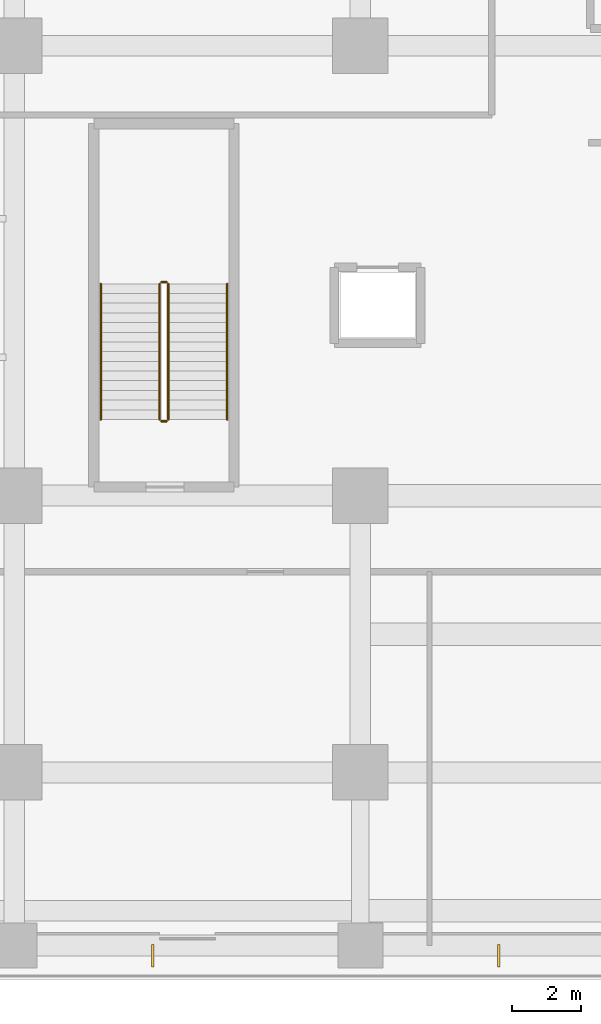
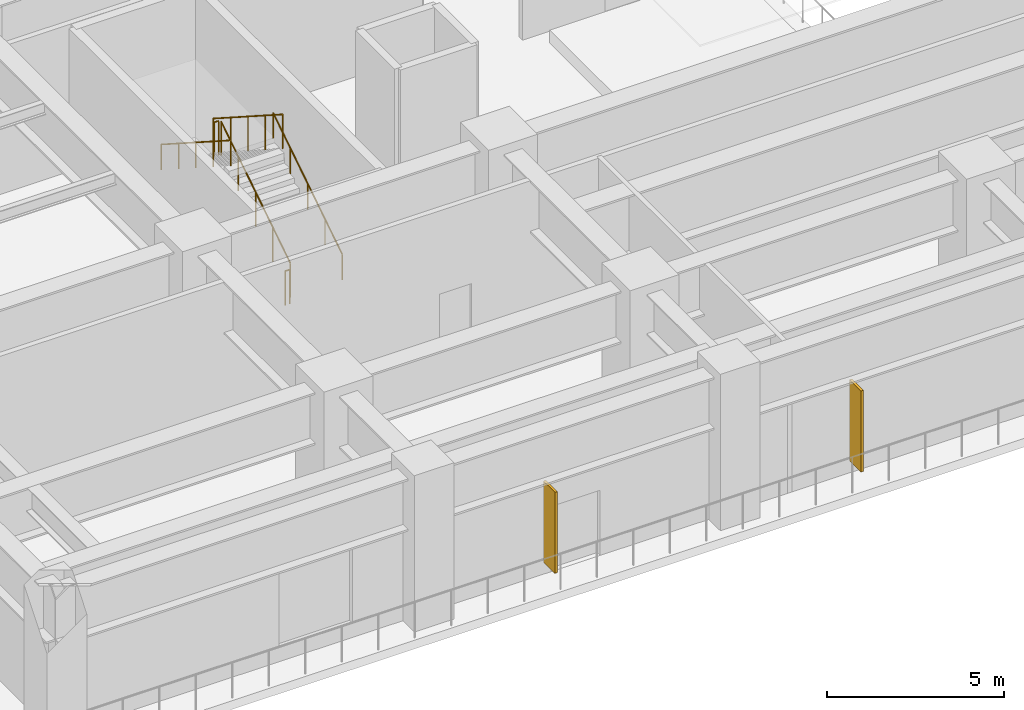
# One storey, part 22 of 28: 6 railings, 2 shading devices.
"""IFC4 building model written with IfcOpenShell, lengths in metres."""

from ifc_helpers import new_model, si_unit, direction, frame, origin, origin_2d, place, context, subcontext, project, spatial, rectangle, circle, extrude, source, transform, mapped, material, layer, layer_set, type_object, element, save


model = new_model("IFC4")

# Units and contexts
model_context = context("Model", 3, precision=1e-05, world=origin(), true_north=direction((0.0, 1.0)))
body_context = subcontext(model_context, "Body", "Model", "MODEL_VIEW")
ifc_project = project(units=[si_unit("LENGTHUNIT", "METRE"), si_unit("AREAUNIT", "SQUARE_METRE"), si_unit("VOLUMEUNIT", "CUBIC_METRE"), si_unit("PLANEANGLEUNIT", "RADIAN"), si_unit("MASSUNIT", "GRAM", prefix="KILO")], contexts=[model_context])

# Site, building, storey
site_placement = place(None, origin())
site = spatial("IfcSite", under=ifc_project, at=site_placement, CompositionType="ELEMENT")
building_placement = place(site_placement, origin())
building = spatial("IfcBuilding", under=site, at=building_placement, Name="Khorayat Bourse Tower", CompositionType="ELEMENT")
storey_placement = place(building_placement, frame((0.0, 0.0, 6.60009765625)))
storey = spatial("IfcBuildingStorey", under=building, at=storey_placement, Name="L01", CompositionType="ELEMENT", Elevation=6.60009765625)

# Shading devices
ifc_material_1 = material(Name="Anodised champagne aluminium", Category="aluminium")
ifc_layer = layer(ifc_material_1, 0.080078125)
ifc_layer_set = layer_set([ifc_layer], Name="Anodised champagne aluminium")
shading_device_type = type_object("IfcShadingDeviceType", Name="SHD-MASHRABIYA-FIN", PredefinedType="USERDEFINED", material=ifc_layer_set)
shared_shape_1 = source(origin(), body_context, "Body", "SweptSolid", [
    extrude(rectangle(XDim=0.080078125, YDim=0.64990234375, at=origin_2d()), origin(), (0.0, 0.0, 1.0), 2.800048828125),
])
for number, where, z_axis, x_axis, name in (
    (1, (-28.0, -37.300048828125, 0.39990234375), (0.0, 0.0, 1.0), (1.0, 0.0, 0.0), "L01 Mashrabiya Vertical Shading Fin 1"),
    (2, (-18.0, -37.300048828125, 0.39990234375), (0.0, 0.0, 1.0), (1.0, 0.0, 0.0), "L01 Mashrabiya Vertical Shading Fin 2"),
):
    element("IfcShadingDevice", number, at=place(storey_placement, frame(where, z_axis=z_axis, x_axis=x_axis)), inside=storey, type_object=shading_device_type, Name=name, ObjectType="FIN", PredefinedType="USERDEFINED", context=body_context, shape_type="MappedRepresentation", body=[
        mapped(shared_shape_1, transform((0.0, 0.0, 0.0), scale=1.0)),
    ])

# Railings
ifc_material_2 = material(Name="Powder-coated steel balustrade", Category="steel")
railing_type_1 = type_object("IfcRailingType", Name="RLG-GUARD-1200", PredefinedType="GUARDRAIL", material=ifc_material_2)
shared_shape_2 = source(origin(), body_context, "Body", "SweptSolid", [
    extrude(circle(Radius=0.02392578125, at=origin_2d()), frame((0.0, 0.0, 1.17578125), z_axis=(-1.0, 0.0, 0.0), x_axis=(0.0, -1.0, 0.0)), (0.0, 0.0, 1.0), 0.14990234375),
    extrude(circle(Radius=0.02099609375, at=origin_2d()), origin(), (0.0, 0.0, 1.0), 1.15185546875),
    extrude(circle(Radius=0.02099609375, at=origin_2d()), frame((-0.14990234375, 0.0, 0.0)), (0.0, 0.0, 1.0), 1.15185546875),
])
for number, where, name in (
    (3, (-27.60009765625, -17.830078125, 2.699951171875), "L01 ST-P1 stair guard 2"),
    (4, (-27.60009765625, -21.85009765625, 0.0), "L01 ST-P1 stair guard 4"),
):
    element("IfcRailing", number, at=place(storey_placement, frame(where)), inside=storey, type_object=railing_type_1, Name=name, PredefinedType="GUARDRAIL", context=body_context, shape_type="MappedRepresentation", body=[
        mapped(shared_shape_2, transform((0.0, 0.0, 0.0), scale=1.0)),
    ])
shared_shape_3 = source(origin(), body_context, "Body", "SweptSolid", [
    extrude(circle(Radius=0.02392578125, at=origin_2d()), frame((0.0, 0.0, 1.17578125), z_axis=(0.0, 0.841186985886, 0.540744352514), x_axis=(-1.0, 0.0, 0.0)), (0.0, 0.0, 1.0), 4.660400390625),
    extrude(circle(Radius=0.02099609375, at=origin_2d()), origin(), (0.0, 0.0, 1.0), 1.15185546875),
    extrude(circle(Radius=0.02099609375, at=origin_2d()), frame((0.0, 0.97998046875, 0.6298828125)), (0.0, 0.0, 1.0), 1.15185546875),
    extrude(circle(Radius=0.02099609375, at=origin_2d()), frame((0.0, 1.9599609375, 1.260009765625)), (0.0, 0.0, 1.0), 1.15185546875),
    extrude(circle(Radius=0.02099609375, at=origin_2d()), frame((0.0, 2.940185546875, 1.89013671875)), (0.0, 0.0, 1.0), 1.15185546875),
    extrude(circle(Radius=0.02099609375, at=origin_2d()), frame((0.0, 3.920166015625, 2.52001953125)), (0.0, 0.0, 1.0), 1.15185546875),
])
railing_1_placement = place(storey_placement, frame((-27.550048828125, -21.800048828125, 0.179931640625)))
element("IfcRailing", 5, at=railing_1_placement, inside=storey, type_object=railing_type_1, Name="L01 ST-P1 stair guard 1", PredefinedType="GUARDRAIL", context=body_context, shape_type="MappedRepresentation", body=[
    mapped(shared_shape_3, transform((0.0, 0.0, 0.0), scale=1.0)),
])
shared_shape_4 = source(origin(), body_context, "Body", "SweptSolid", [
    extrude(circle(Radius=0.02392578125, at=origin_2d()), frame((0.0, 0.0, 1.17578125), z_axis=(0.0, -0.841186985886, 0.540744352514), x_axis=(1.0, 0.0, 0.0)), (0.0, 0.0, 1.0), 4.660400390625),
    extrude(circle(Radius=0.02099609375, at=origin_2d()), origin(), (0.0, 0.0, 1.0), 1.15185546875),
    extrude(circle(Radius=0.02099609375, at=origin_2d()), frame((0.0, -0.97998046875, 0.6298828125)), (0.0, 0.0, 1.0), 1.15185546875),
    extrude(circle(Radius=0.02099609375, at=origin_2d()), frame((0.0, -1.9599609375, 1.260009765625)), (0.0, 0.0, 1.0), 1.15185546875),
    extrude(circle(Radius=0.02099609375, at=origin_2d()), frame((0.0, -2.940185546875, 1.89013671875)), (0.0, 0.0, 1.0), 1.15185546875),
    extrude(circle(Radius=0.02099609375, at=origin_2d()), frame((0.0, -3.920166015625, 2.52001953125)), (0.0, 0.0, 1.0), 1.15185546875),
])
railing_2_placement = place(storey_placement, frame((-27.800048828125, -17.8798828125, 2.8798828125)))
element("IfcRailing", 6, at=railing_2_placement, inside=storey, type_object=railing_type_1, Name="L01 ST-P1 stair guard 3", PredefinedType="GUARDRAIL", context=body_context, shape_type="MappedRepresentation", body=[
    mapped(shared_shape_4, transform((0.0, 0.0, 0.0), scale=1.0)),
])
ifc_material_3 = material(Name="Brushed bronze stainless-steel handrail", Category="steel")
railing_type_2 = type_object("IfcRailingType", Name="RLG-HAND-900", PredefinedType="HANDRAIL", material=ifc_material_3)
shared_shape_5 = source(origin(), body_context, "Body", "SweptSolid", [
    extrude(circle(Radius=0.02392578125, at=origin_2d()), frame((0.0, 0.0, 0.8759765625), z_axis=(0.0, 0.841186985886, 0.540744352514), x_axis=(-1.0, 0.0, 0.0)), (0.0, 0.0, 1.0), 4.660400390625),
    extrude(circle(Radius=0.02099609375, at=origin_2d()), origin(), (0.0, 0.0, 1.0), 0.851806640625),
    extrude(circle(Radius=0.02099609375, at=origin_2d()), frame((0.0, 0.97998046875, 0.6298828125)), (0.0, 0.0, 1.0), 0.851806640625),
    extrude(circle(Radius=0.02099609375, at=origin_2d()), frame((0.0, 1.9599609375, 1.260009765625)), (0.0, 0.0, 1.0), 0.851806640625),
    extrude(circle(Radius=0.02099609375, at=origin_2d()), frame((0.0, 2.940185546875, 1.89013671875)), (0.0, 0.0, 1.0), 0.851806640625),
    extrude(circle(Radius=0.02099609375, at=origin_2d()), frame((0.0, 3.920166015625, 2.52001953125)), (0.0, 0.0, 1.0), 0.851806640625),
])
railing_3_placement = place(storey_placement, frame((-25.85009765625, -21.800048828125, 0.179931640625)))
element("IfcRailing", 7, at=railing_3_placement, inside=storey, type_object=railing_type_2, Name="L01 ST-P1 stair handrail 1", PredefinedType="HANDRAIL", context=body_context, shape_type="MappedRepresentation", body=[
    mapped(shared_shape_5, transform((0.0, 0.0, 0.0), scale=1.0)),
])
shared_shape_6 = source(origin(), body_context, "Body", "SweptSolid", [
    extrude(circle(Radius=0.02392578125, at=origin_2d()), frame((0.0, 0.0, 0.8759765625), z_axis=(0.0, -0.841186985886, 0.540744352514), x_axis=(1.0, 0.0, 0.0)), (0.0, 0.0, 1.0), 4.660400390625),
    extrude(circle(Radius=0.02099609375, at=origin_2d()), origin(), (0.0, 0.0, 1.0), 0.851806640625),
    extrude(circle(Radius=0.02099609375, at=origin_2d()), frame((0.0, -0.97998046875, 0.6298828125)), (0.0, 0.0, 1.0), 0.851806640625),
    extrude(circle(Radius=0.02099609375, at=origin_2d()), frame((0.0, -1.9599609375, 1.260009765625)), (0.0, 0.0, 1.0), 0.851806640625),
    extrude(circle(Radius=0.02099609375, at=origin_2d()), frame((0.0, -2.940185546875, 1.89013671875)), (0.0, 0.0, 1.0), 0.851806640625),
    extrude(circle(Radius=0.02099609375, at=origin_2d()), frame((0.0, -3.920166015625, 2.52001953125)), (0.0, 0.0, 1.0), 0.851806640625),
])
railing_4_placement = place(storey_placement, frame((-29.5, -17.8798828125, 2.8798828125)))
element("IfcRailing", 8, at=railing_4_placement, inside=storey, type_object=railing_type_2, Name="L01 ST-P1 stair handrail 2", PredefinedType="HANDRAIL", context=body_context, shape_type="MappedRepresentation", body=[
    mapped(shared_shape_6, transform((0.0, 0.0, 0.0), scale=1.0)),
])

save(model, "model.ifc")
